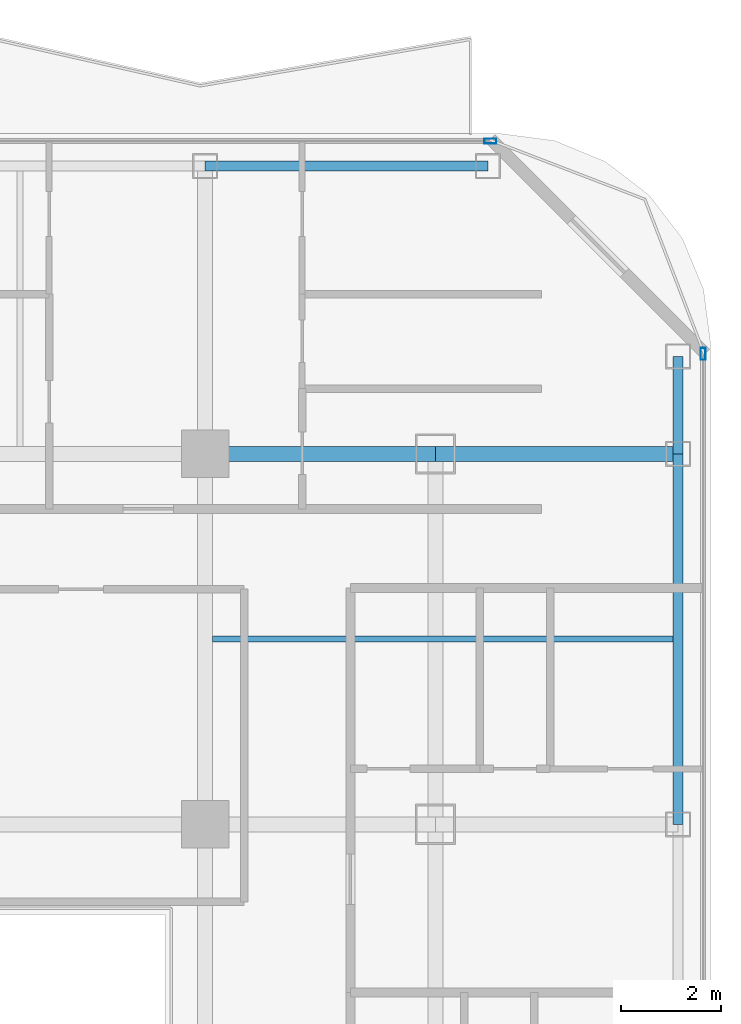
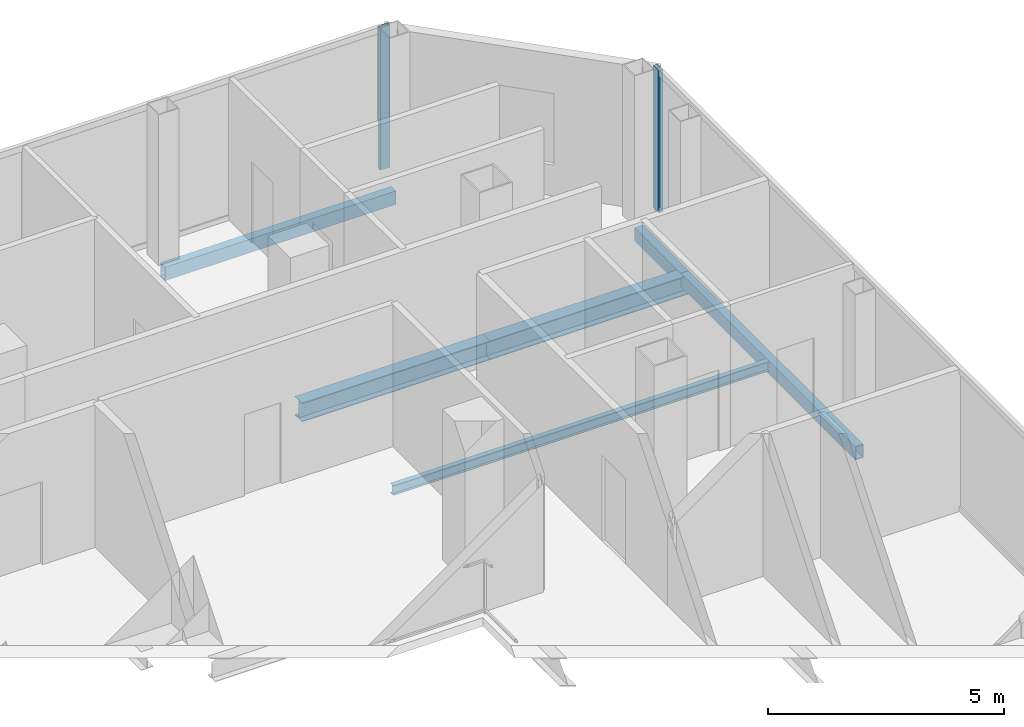
# One storey, part 15 of 26: 6 beams, 2 members, 2 elements without a shape of their own.
"""IFC4 building model written with IfcOpenShell, lengths in metres."""

import ifcopenshell
import ifcopenshell.guid

model = None  # the IFC model being written
_history = None  # IfcOwnerHistory: only IFC2X3 demands one
_inside = {}  # id of a spatial element -> (the spatial element, [elements in it])
_under = {}  # id of a project, library or spatial element -> (it, [spatial elements below it])
_declared = {}  # id of a project -> (the project, [libraries it declares])
_typed = {}  # id of a type object -> (the type object, [elements of that type])
_made_of = {}  # id of a material, layer set ... -> (it, [elements and type objects made of it])


def new_model(schema):
    """Start an empty IFC model of exactly this schema.

    Asked for "IFC4X3", IfcOpenShell would pick the latest addendum, in which some entities
    have other attributes; the version numbers below select the first issue.
    IFC2X3 requires an IfcOwnerHistory on every rooted entity: one is made here for all.
    """
    global model, _history
    if schema == "IFC4X3":
        model = ifcopenshell.file(schema_version=(4, 3, 0, 0))
    else:
        model = ifcopenshell.file(schema=schema)
    _inside.clear()
    _under.clear()
    _declared.clear()
    _typed.clear()
    _made_of.clear()
    _history = None
    if model.schema == "IFC2X3":
        org = make("IfcOrganization", Name="unknown")
        user = make(
            "IfcPersonAndOrganization",
            ThePerson=make("IfcPerson", FamilyName="unknown"),
            TheOrganization=org,
        )
        app = make(
            "IfcApplication",
            ApplicationDeveloper=org,
            Version="unknown",
            ApplicationFullName="unknown",
            ApplicationIdentifier="unknown",
        )
        _history = make(
            "IfcOwnerHistory",
            OwningUser=user,
            OwningApplication=app,
            ChangeAction="ADDED",
            CreationDate=0,
        )
    return model


def make(cls, **values):
    """One entity of the class cls with the attributes given. An attribute that is None is left unset."""
    return model.create_entity(
        cls, **{name: value for name, value in values.items() if value is not None}
    )


def rooted(cls, **values):
    """An entity with a GlobalId (a new one), such as an element, a storey or a relation."""
    return make(cls, GlobalId=ifcopenshell.guid.new(), OwnerHistory=_history, **values)


def si_unit(unit_type, name, prefix=None):
    """IfcSIUnit, for example si_unit("LENGTHUNIT", "METRE", prefix="MILLI")."""
    return make("IfcSIUnit", UnitType=unit_type, Prefix=prefix, Name=name)


def assignment(units):
    """IfcUnitAssignment: the units of a project."""
    return None if units is None else make("IfcUnitAssignment", Units=units)


def point(xyz):
    """IfcCartesianPoint."""
    return None if xyz is None else make("IfcCartesianPoint", Coordinates=xyz)


def direction(xyz):
    """IfcDirection."""
    return None if xyz is None else make("IfcDirection", DirectionRatios=xyz)


def frame(location, z_axis=None, x_axis=None):
    """IfcAxis2Placement3D, a coordinate frame: its origin and axes. An axis left out is left unset."""
    return make(
        "IfcAxis2Placement3D",
        Location=point(location),
        Axis=direction(z_axis),
        RefDirection=direction(x_axis),
    )


def frame_2d(location, x_axis=None):
    """IfcAxis2Placement2D, a coordinate frame in the plane: its origin and x axis."""
    return make(
        "IfcAxis2Placement2D", Location=point(location), RefDirection=direction(x_axis)
    )


def origin():
    """The frame at (0, 0, 0) with its axes left unset."""
    return frame((0.0, 0.0, 0.0))


def origin_2d():
    """The frame at (0, 0) in the plane with its x axis left unset."""
    return frame_2d((0.0, 0.0))


def place(relative_to, where):
    """IfcLocalPlacement: puts the frame where relative to a parent placement (None: the world)."""
    return make(
        "IfcLocalPlacement", PlacementRelTo=relative_to, RelativePlacement=where
    )


def context(
    kind, dimensions, precision=None, world=None, true_north=None, identifier=None
):
    """IfcGeometricRepresentationContext, for example the 3D "Model" context."""
    return make(
        "IfcGeometricRepresentationContext",
        ContextIdentifier=identifier,
        ContextType=kind,
        CoordinateSpaceDimension=dimensions,
        Precision=precision,
        WorldCoordinateSystem=world,
        TrueNorth=true_north,
    )


def subcontext(parent, identifier, kind, view, scale=None):
    """IfcGeometricRepresentationSubContext, for example "Body" below "Model"."""
    return make(
        "IfcGeometricRepresentationSubContext",
        ContextIdentifier=identifier,
        ContextType=kind,
        ParentContext=parent,
        TargetScale=scale,
        TargetView=view,
    )


def project(units=None, contexts=None):
    """IfcProject with its units and contexts."""
    return rooted(
        "IfcProject",
        Name="project",
        RepresentationContexts=contexts,
        UnitsInContext=assignment(units),
    )


def spatial(cls, under=None, at=None, **own):
    """A site, building, storey or space (cls), placed at a placement, below another one or the project."""
    s = rooted(cls, ObjectPlacement=at, **own)
    if under is not None:
        _under.setdefault(under.id(), (under, []))[1].append(s)
    return s


def profile(cls, at=None, kind="AREA", **sizes):
    """A parametric profile (cls). Its sizes go by their IFC names, for example OverallWidth=200.0."""
    return make(cls, ProfileType=kind, Position=at, **sizes)


def hollow_rectangle(**sizes):
    """IfcRectangleHollowProfileDef."""
    return profile("IfcRectangleHollowProfileDef", **sizes)


def i_section(**sizes):
    """IfcIShapeProfileDef."""
    return profile("IfcIShapeProfileDef", **sizes)


def extrude(swept, where, along, depth):
    """IfcExtrudedAreaSolid: the profile swept, set in the frame where, extruded along a direction by depth."""
    return make(
        "IfcExtrudedAreaSolid",
        SweptArea=swept,
        Position=where,
        ExtrudedDirection=direction(along),
        Depth=depth,
    )


def shape(context_of_items, identifier, shape_type, items):
    """IfcShapeRepresentation: the items that make up one representation, for example the "Body"."""
    return make(
        "IfcShapeRepresentation",
        ContextOfItems=context_of_items,
        RepresentationIdentifier=identifier,
        RepresentationType=shape_type,
        Items=items,
    )


def material(Name=None, Category=None):
    """IfcMaterial."""
    return make("IfcMaterial", Name=Name, Category=Category)


def layer(
    of_material, thickness, ventilated=None, Name=None, Category=None, Priority=None
):
    """IfcMaterialLayer: one layer of a wall or slab, of a material (None: an air gap)."""
    return make(
        "IfcMaterialLayer",
        Material=of_material,
        LayerThickness=thickness,
        IsVentilated=ventilated,
        Name=Name,
        Category=Category,
        Priority=Priority,
    )


def layer_set(layers, Name=None):
    """IfcMaterialLayerSet."""
    return make("IfcMaterialLayerSet", MaterialLayers=layers, LayerSetName=Name)


def material_profile(
    of_material, cross_section, Name=None, Category=None, Priority=None
):
    """IfcMaterialProfile: a cross section and its material."""
    return make(
        "IfcMaterialProfile",
        Name=Name,
        Material=of_material,
        Profile=cross_section,
        Priority=Priority,
        Category=Category,
    )


def profile_set(profiles, Name=None, composite=None):
    """IfcMaterialProfileSet."""
    return make(
        "IfcMaterialProfileSet",
        Name=Name,
        MaterialProfiles=profiles,
        CompositeProfile=composite,
    )


def made_of(thing, what):
    """Note that an element or type object is made of a material, layer set ...; save() writes the relation."""
    if what is not None:
        _made_of.setdefault(what.id(), (what, []))[1].append(thing)
    return thing


def type_object(cls, material=None, **own):
    """A type object (cls), such as IfcWallType, which elements share."""
    return made_of(rooted(cls, **own), material)


def element(
    cls,
    number,
    at=None,
    inside=None,
    cuts=None,
    type_object=None,
    material=None,
    context=None,
    identifier="Body",
    shape_type=None,
    held_by="IfcProductDefinitionShape",
    body=None,
    shapes=None,
    **own,
):
    """One element of the class cls, such as IfcWall. Its Tag is "e" and its number.

    at: its placement. inside: the storey or other place that contains it. cuts: it is an
    opening in that element (IfcRelVoidsElement). A single representation is given by context,
    identifier, shape_type and body (its items); several are given by shapes. held_by: the class
    of the entity that holds the representations. save() writes the other relations.
    """
    e = rooted(cls, Tag="e%d" % number, ObjectPlacement=at, **own)
    if body is not None:
        shapes = [shape(context, identifier, shape_type, body)]
    if shapes is not None:
        e.Representation = make(held_by, Representations=shapes)
    if inside is not None:
        _inside.setdefault(inside.id(), (inside, []))[1].append(e)
    if cuts is not None:
        rooted(
            "IfcRelVoidsElement", RelatingBuildingElement=cuts, RelatedOpeningElement=e
        )
    if type_object is not None:
        _typed.setdefault(type_object.id(), (type_object, []))[1].append(e)
    return made_of(e, material)


def aggregate(whole, parts):
    """IfcRelAggregates: a whole, such as a stair, and the parts it consists of."""
    return rooted("IfcRelAggregates", RelatingObject=whole, RelatedObjects=parts)


def save(model, path):
    """Write the relations noted so far, then the file.

    IfcRelAggregates (storeys below a building ...), IfcRelContainedInSpatialStructure (elements
    in a storey), IfcRelDefinesByType, IfcRelAssociatesMaterial and IfcRelDeclares: one each for
    every whole, place, type object, material and project.
    """
    for whole, parts in _under.values():
        aggregate(whole, parts)
    for where, things in _inside.values():
        rooted(
            "IfcRelContainedInSpatialStructure",
            RelatedElements=things,
            RelatingStructure=where,
        )
    for kind, things in _typed.values():
        rooted("IfcRelDefinesByType", RelatedObjects=things, RelatingType=kind)
    for what, things in _made_of.values():
        rooted("IfcRelAssociatesMaterial", RelatedObjects=things, RelatingMaterial=what)
    for by, libraries in _declared.values():
        rooted("IfcRelDeclares", RelatingContext=by, RelatedDefinitions=libraries)
    model.write(path)


model = new_model("IFC4")

# Units and contexts
model_context = context("Model", 3, precision=1e-05, world=origin(), true_north=direction((0.0, 1.0)))
body_context = subcontext(model_context, "Body", "Model", "MODEL_VIEW")
ifc_project = project(units=[si_unit("LENGTHUNIT", "METRE"), si_unit("AREAUNIT", "SQUARE_METRE"), si_unit("VOLUMEUNIT", "CUBIC_METRE"), si_unit("PLANEANGLEUNIT", "RADIAN"), si_unit("MASSUNIT", "GRAM", prefix="KILO")], contexts=[model_context])

# Site, building, storey
site_placement = place(None, origin())
site = spatial("IfcSite", under=ifc_project, at=site_placement, CompositionType="ELEMENT")
building_placement = place(site_placement, origin())
building = spatial("IfcBuilding", under=site, at=building_placement, Name="Khorvyn Point Tower", CompositionType="ELEMENT")
storey_placement = place(building_placement, frame((0.0, 0.0, 262.5)))
storey = spatial("IfcBuildingStorey", under=building, at=storey_placement, Name="L64", CompositionType="ELEMENT", Elevation=262.5)

# Curtain wall, member
ifc_material_1 = material(Name="Anodised aluminium 6063-T6 and laminated Low-E glass", Category="aluminium")
ifc_layer = layer(ifc_material_1, 0.18994140625)
ifc_layer_set = layer_set([ifc_layer], Name="Stick-Built High-Wind Curtain Wall CW-SYS-04")
curtain_wall_type = type_object("IfcCurtainWallType", Name="Stick-Built High-Wind Curtain Wall CW-SYS-04", PredefinedType="NOTDEFINED", material=ifc_layer_set)
curtain_wall_1_placement = place(storey_placement, origin())
curtain_wall_1 = element("IfcCurtainWall", 1, at=curtain_wall_1_placement, inside=storey, type_object=curtain_wall_type, Name="Curtain Wall", PredefinedType="NOTDEFINED")
ifc_material_2 = material(Name="Anodised aluminium 6063-T6", Category="aluminium")
ifc_material_profile_1 = material_profile(ifc_material_2, hollow_rectangle(XDim=0.10009765625, YDim=0.239990234375, WallThickness=0.0048828125, at=origin_2d()))
ifc_profile_set_1 = profile_set([ifc_material_profile_1], Name="Anodised aluminium 6063-T6 ALU-MUL-100x240")
member_type = type_object("IfcMemberType", Name="Anodised Aluminium 6063-T6 Mullion ALU-MUL-100x240", PredefinedType="MULLION", material=ifc_profile_set_1)
member_1_placement = place(storey_placement, frame((20.5, 21.050048828125, 0.0), z_axis=(0.0, 0.0, 1.0), x_axis=(0.0, 1.0, 0.0)))
member_1 = element("IfcMember", 2, at=member_1_placement, type_object=member_type, Name="Transom", PredefinedType="MULLION", context=body_context, shape_type="SweptSolid", body=[
    extrude(hollow_rectangle(XDim=0.10009765625, YDim=0.239990234375, WallThickness=0.0048828125, at=origin_2d()), origin(), (0.0, 0.0, 1.0), 3.679931640625),
])
aggregate(curtain_wall_1, [member_1])

curtain_wall_2_placement = place(storey_placement, origin())
curtain_wall_2 = element("IfcCurtainWall", 3, at=curtain_wall_2_placement, inside=storey, type_object=curtain_wall_type, Name="Curtain Wall", PredefinedType="NOTDEFINED")
member_2_placement = place(storey_placement, frame((24.75, 16.800048828125, 0.0), z_axis=(0.0, 0.0, 1.0), x_axis=(1.0, 0.0, 0.0)))
member_2 = element("IfcMember", 4, at=member_2_placement, type_object=member_type, Name="Transom", PredefinedType="MULLION", context=body_context, shape_type="SweptSolid", body=[
    extrude(hollow_rectangle(XDim=0.10009765625, YDim=0.239990234375, WallThickness=0.0048828125, at=origin_2d()), origin(), (0.0, 0.0, 1.0), 3.679931640625),
])
aggregate(curtain_wall_2, [member_2])

# Beams
ifc_material_3 = material(Name="Steel S355", Category="steel")
ifc_material_profile_2 = material_profile(ifc_material_3, i_section(OverallWidth=0.125, OverallDepth=0.25, WebThickness=0.006103515625, FlangeThickness=0.009033203125, at=origin_2d()))
ifc_profile_set_2 = profile_set([ifc_material_profile_2], Name="Steel S355 H250x125x6x9")
beam_type_1 = type_object("IfcBeamType", Name="Steel S355 Joist H250x125x6x9", PredefinedType="JOIST", material=ifc_profile_set_2)
beam_1_placement = place(storey_placement, frame((14.949951171875, 11.10009765625, -0.344970703125), z_axis=(1.0, 0.0, 0.0), x_axis=(0.0, 1.0, 0.0)))
element("IfcBeam", 5, at=beam_1_placement, inside=storey, type_object=beam_type_1, Name="Beam", PredefinedType="JOIST", context=body_context, shape_type="SweptSolid", body=[
    extrude(i_section(OverallWidth=0.125, OverallDepth=0.25, WebThickness=0.006103515625, FlangeThickness=0.009033203125, at=origin_2d()), origin(), (0.0, 0.0, 1.0), 9.199951171875),
])
ifc_material_profile_3 = material_profile(ifc_material_3, i_section(OverallWidth=0.300048828125, OverallDepth=0.488037109375, WebThickness=0.010986328125, FlangeThickness=0.01806640625, at=origin_2d()))
ifc_profile_set_3 = profile_set([ifc_material_profile_3], Name="Steel S355 H488x300x11x18")
beam_type_2 = type_object("IfcBeamType", Name="Steel S355 Spandrel H488x300x11x18", PredefinedType="SPANDREL", material=ifc_profile_set_3)
beam_2_placement = place(storey_placement, frame((14.800048828125, 14.800048828125, -0.464111328125), z_axis=(1.0, 0.0, 0.0), x_axis=(0.0, 1.0, 0.0)))
element("IfcBeam", 6, at=beam_2_placement, inside=storey, type_object=beam_type_2, Name="Beam", PredefinedType="SPANDREL", context=body_context, shape_type="SweptSolid", body=[
    extrude(i_section(OverallWidth=0.300048828125, OverallDepth=0.488037109375, WebThickness=0.010986328125, FlangeThickness=0.01806640625, at=origin_2d()), origin(), (0.0, 0.0, 1.0), 4.599853515625),
])
beam_3_placement = place(storey_placement, frame((19.39990234375, 14.800048828125, -0.464111328125), z_axis=(1.0, 0.0, 0.0), x_axis=(0.0, 1.0, 0.0)))
element("IfcBeam", 7, at=beam_3_placement, inside=storey, type_object=beam_type_2, Name="Beam", PredefinedType="SPANDREL", context=body_context, shape_type="SweptSolid", body=[
    extrude(i_section(OverallWidth=0.300048828125, OverallDepth=0.488037109375, WebThickness=0.010986328125, FlangeThickness=0.01806640625, at=origin_2d()), origin(), (0.0, 0.0, 1.0), 4.85009765625),
])
ifc_material_profile_4 = material_profile(ifc_material_3, hollow_rectangle(XDim=0.199951171875, YDim=0.35009765625, WallThickness=0.013916015625, at=origin_2d()))
ifc_profile_set_4 = profile_set([ifc_material_profile_4], Name="Steel S355 RHS350x200x14")
beam_type_3 = type_object("IfcBeamType", Name="Steel S355 Spandrel RHS350x200x14", PredefinedType="SPANDREL", material=ifc_profile_set_4)
beam_4_placement = place(storey_placement, frame((14.800048828125, 20.550048828125, -0.39501953125), z_axis=(1.0, 0.0, 0.0), x_axis=(0.0, 1.0, 0.0)))
element("IfcBeam", 8, at=beam_4_placement, inside=storey, type_object=beam_type_3, Name="Beam", PredefinedType="SPANDREL", context=body_context, shape_type="SweptSolid", body=[
    extrude(hollow_rectangle(XDim=0.199951171875, YDim=0.35009765625, WallThickness=0.013916015625, at=origin_2d()), origin(), (0.0, 0.0, 1.0), 5.64990234375),
])
beam_5_placement = place(storey_placement, frame((24.25, 7.39990234375, -0.39501953125), z_axis=(0.0, 1.0, 0.0), x_axis=(-1.0, 0.0, 0.0)))
element("IfcBeam", 9, at=beam_5_placement, inside=storey, type_object=beam_type_3, Name="Beam", PredefinedType="SPANDREL", context=body_context, shape_type="SweptSolid", body=[
    extrude(hollow_rectangle(XDim=0.199951171875, YDim=0.35009765625, WallThickness=0.013916015625, at=origin_2d()), origin(), (0.0, 0.0, 1.0), 7.400146484375),
])
beam_6_placement = place(storey_placement, frame((24.25, 14.800048828125, -0.39501953125), z_axis=(0.0, 1.0, 0.0), x_axis=(-1.0, 0.0, 0.0)))
element("IfcBeam", 10, at=beam_6_placement, inside=storey, type_object=beam_type_3, Name="Beam", PredefinedType="SPANDREL", context=body_context, shape_type="SweptSolid", body=[
    extrude(hollow_rectangle(XDim=0.199951171875, YDim=0.35009765625, WallThickness=0.013916015625, at=origin_2d()), origin(), (0.0, 0.0, 1.0), 1.949951171875),
])

save(model, "model.ifc")
